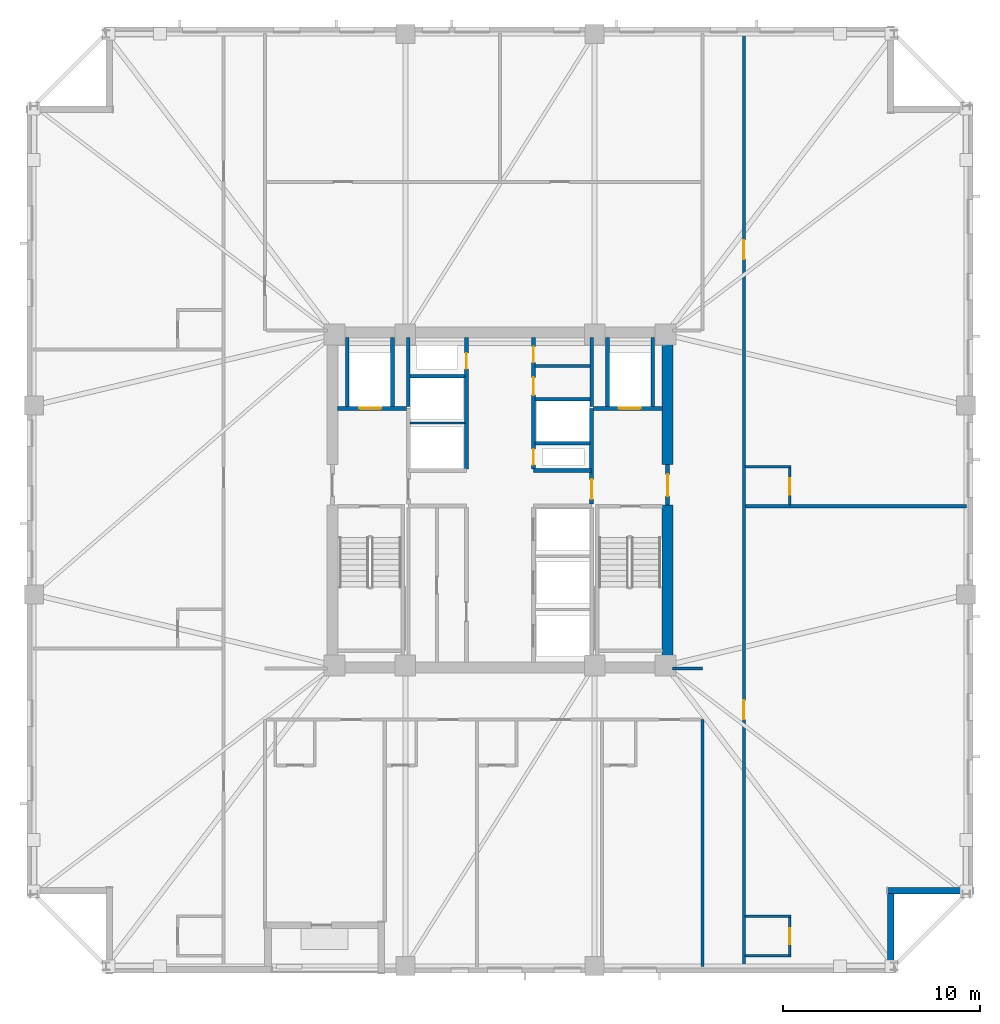
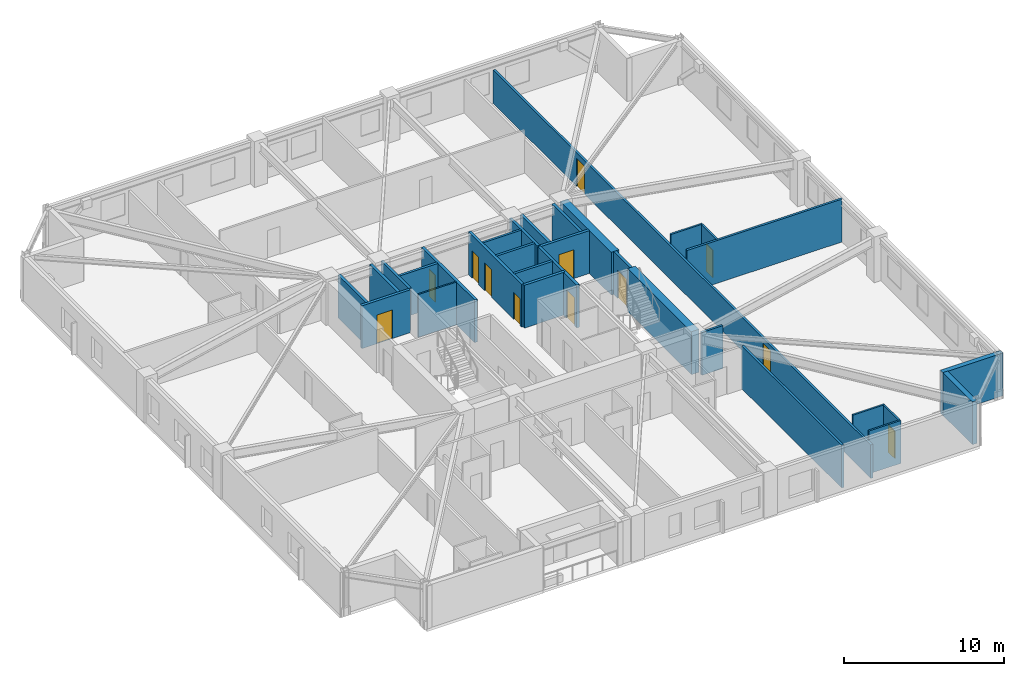
# One storey, part 4 of 10: 31 walls, 12 doors, 12 openings.
"""IFC4 building model written with IfcOpenShell, lengths in metres."""

from ifc_helpers import new_model, si_unit, direction, frame, frame_2d, origin, place, context, subcontext, project, spatial, rectangle, extrude, material, layer, layer_set, type_object, element, fill, save


model = new_model("IFC4")

# Units and contexts
model_context = context("Model", 3, precision=1e-05, world=origin(), true_north=direction((0.0, 1.0)))
body_context = subcontext(model_context, "Body", "Model", "MODEL_VIEW")
ifc_project = project(units=[si_unit("LENGTHUNIT", "METRE"), si_unit("AREAUNIT", "SQUARE_METRE"), si_unit("VOLUMEUNIT", "CUBIC_METRE"), si_unit("PLANEANGLEUNIT", "RADIAN"), si_unit("MASSUNIT", "GRAM", prefix="KILO")], contexts=[model_context])

# Site, building, storey
site_placement = place(None, origin())
site = spatial("IfcSite", under=ifc_project, at=site_placement, CompositionType="ELEMENT")
building_placement = place(site_placement, origin())
building = spatial("IfcBuilding", under=site, at=building_placement, Name="Cairnveth Concourse Tower", CompositionType="ELEMENT")
storey_placement = place(building_placement, frame((0.0, 0.0, 144.5)))
storey = spatial("IfcBuildingStorey", under=building, at=storey_placement, Name="L39", CompositionType="ELEMENT", Elevation=144.5)

# Wall
ifc_material_1 = material(Name="Gypsum Plasterboard Partition", Category="gypsum")
ifc_layer_1 = layer(ifc_material_1, 0.159912109375)
ifc_layer_set_1 = layer_set([ifc_layer_1], Name="Gypsum Plasterboard Partition")
wall_type_1 = type_object("IfcWallType", Name="ACOUSTIC PARTY WALL 180", PredefinedType="PARTITIONING", material=ifc_layer_set_1)
wall_1_placement = place(storey_placement, frame((53.784912109375, 45.800048828125, 0.0), z_axis=(0.0, 0.0, 1.0), x_axis=(1.0, 0.0, 0.0)))
element("IfcWall", 1, at=wall_1_placement, inside=storey, type_object=wall_type_1, Name="Interior Wall IW-L39-036", PredefinedType="PARTITIONING", context=body_context, shape_type="SweptSolid", body=[
    extrude(rectangle(XDim=2.7900390625, YDim=0.159912109375, at=frame_2d((1.39501953125, 0.0))), origin(), (0.0, 0.0, 1.0), 3.280029296875),
])

# Wall, openings, doors
wall_2_placement = place(storey_placement, frame((64.375, 15.324951171875, 0.0), z_axis=(0.0, 0.0, 1.0), x_axis=(0.0, 1.0, 0.0)))
wall_2 = element("IfcWall", 2, at=wall_2_placement, inside=storey, type_object=wall_type_1, Name="Interior Wall IW-L39-042", PredefinedType="PARTITIONING", context=body_context, shape_type="SweptSolid", body=[
    extrude(rectangle(XDim=47.35009765625, YDim=0.159912109375, at=frame_2d((23.675048828125, 0.0))), origin(), (0.0, 0.0, 1.0), 2.554931640625),
])
opening_1_placement = place(wall_2_placement, frame((12.546630859375, 0.0, 0.0)))
opening_1 = element("IfcOpeningElement", 3, at=opening_1_placement, cuts=wall_2, Name="Opening ID09", PredefinedType="OPENING", context=body_context, shape_type="SweptSolid", body=[
    extrude(rectangle(XDim=0.9599609375, YDim=2.14990234375, at=frame_2d((0.47998046875, 1.074951171875))), frame((0.0, 0.08984375, 0.0), z_axis=(0.0, -1.0, 0.0), x_axis=(1.0, 0.0, 0.0)), (0.0, 0.0, 1.0), 0.179931640625),
])
opening_2_placement = place(wall_2_placement, frame((35.901611328125, 0.0, 0.0)))
opening_2 = element("IfcOpeningElement", 4, at=opening_2_placement, cuts=wall_2, Name="Opening ID09", PredefinedType="OPENING", context=body_context, shape_type="SweptSolid", body=[
    extrude(rectangle(XDim=0.9599609375, YDim=2.14990234375, at=frame_2d((0.47998046875, 1.074951171875))), frame((0.0, 0.08984375, 0.0), z_axis=(0.0, -1.0, 0.0), x_axis=(1.0, 0.0, 0.0)), (0.0, 0.0, 1.0), 0.179931640625),
])
ifc_material_2 = material(Name="Solid Core Hardwood Timber Leaf", Category="wood")
door_type_1 = type_object("IfcDoorType", Name="HOTEL ENTRANCE DOOR 960X2150", OperationType="NOTDEFINED", PredefinedType="DOOR", material=ifc_material_2)
door_1_placement = place(opening_1_placement, origin())
door_1 = element("IfcDoor", 5, at=door_1_placement, inside=storey, type_object=door_type_1, Name="Hotel Room Door L39-E1", OperationType="SINGLE_SWING_RIGHT", OverallHeight=2.14990234375, OverallWidth=0.9599609375, PredefinedType="DOOR", context=body_context, shape_type="SweptSolid", body=[
    extrude(rectangle(XDim=0.9599609375, YDim=2.14990234375, at=frame_2d((0.47998046875, 1.074951171875))), frame((0.0, 0.02490234375, 0.0), z_axis=(0.0, -1.0, 0.0), x_axis=(1.0, 0.0, 0.0)), (0.0, 0.0, 1.0), 0.050048828125),
])
fill(opening_1, door_1)
door_2_placement = place(opening_2_placement, origin())
door_2 = element("IfcDoor", 6, at=door_2_placement, inside=storey, type_object=door_type_1, Name="Hotel Room Door L39-E2", OperationType="SINGLE_SWING_RIGHT", OverallHeight=2.14990234375, OverallWidth=0.9599609375, PredefinedType="DOOR", context=body_context, shape_type="SweptSolid", body=[
    extrude(rectangle(XDim=0.9599609375, YDim=2.14990234375, at=frame_2d((0.47998046875, 1.074951171875))), frame((0.0, 0.02490234375, 0.0), z_axis=(0.0, -1.0, 0.0), x_axis=(1.0, 0.0, 0.0)), (0.0, 0.0, 1.0), 0.050048828125),
])
fill(opening_2, door_2)

# Walls
wall_3_placement = place(storey_placement, frame((62.27490234375, 15.324951171875, 0.0), z_axis=(0.0, 0.0, 1.0), x_axis=(0.0, 1.0, 0.0)))
element("IfcWall", 7, at=wall_3_placement, inside=storey, type_object=wall_type_1, Name="Interior Wall IW-L39-043", PredefinedType="PARTITIONING", context=body_context, shape_type="SweptSolid", body=[
    extrude(rectangle(XDim=12.53515625, YDim=0.159912109375, at=frame_2d((6.267578125, 0.0))), origin(), (0.0, 0.0, 1.0), 3.280029296875),
])
wall_4_placement = place(storey_placement, frame((60.764892578125, 30.449951171875, 0.0), z_axis=(0.0, 0.0, 1.0), x_axis=(1.0, 0.0, 0.0)))
element("IfcWall", 8, at=wall_4_placement, inside=storey, type_object=wall_type_1, Name="Interior Wall IW-L39-045", PredefinedType="PARTITIONING", context=body_context, shape_type="SweptSolid", body=[
    extrude(rectangle(XDim=1.510009765625, YDim=0.159912109375, at=frame_2d((0.7548828125, 0.0))), origin(), (0.0, 0.0, 1.0), 3.280029296875),
])
wall_5_placement = place(storey_placement, frame((64.455078125, 38.68310546875, 0.0), z_axis=(0.0, 0.0, 1.0), x_axis=(1.0, 0.0, 0.0)))
element("IfcWall", 9, at=wall_5_placement, inside=storey, type_object=wall_type_1, Name="Interior Wall IW-L39-074", PredefinedType="PARTITIONING", context=body_context, shape_type="SweptSolid", body=[
    extrude(rectangle(XDim=11.219970703125, YDim=0.159912109375, at=frame_2d((5.60986328125, 0.0))), origin(), (0.0, 0.0, 1.0), 3.280029296875),
])
ifc_material_3 = material(Name="Concrete N80 (80 MPa)", Category="concrete")
ifc_layer_2 = layer(ifc_material_3, 0.550048828125)
ifc_layer_set_2 = layer_set([ifc_layer_2], Name="Concrete N80 (80 MPa)")
wall_type_2 = type_object("IfcWallType", Name="CORE SHEAR WALL 550", PredefinedType="SHEAR", material=ifc_layer_set_2)
wall_6_placement = place(storey_placement, frame((60.5, 30.764892578125, 0.0), z_axis=(0.0, 0.0, 1.0), x_axis=(0.0, 1.0, 0.0)))
element("IfcWall", 10, at=wall_6_placement, inside=storey, type_object=wall_type_2, Name="Core East Shear Wall S L39", PredefinedType="SHEAR", context=body_context, shape_type="SweptSolid", body=[
    extrude(rectangle(XDim=7.985107421875, YDim=0.550048828125, at=frame_2d((3.99267578125, 0.0))), origin(), (0.0, 0.0, 1.0), 3.280029296875),
])
wall_7_placement = place(storey_placement, frame((60.5, 40.800048828125, 0.0), z_axis=(0.0, 0.0, 1.0), x_axis=(0.0, 1.0, 0.0)))
element("IfcWall", 11, at=wall_7_placement, inside=storey, type_object=wall_type_2, Name="Core East Shear Wall N L39", PredefinedType="SHEAR", context=body_context, shape_type="SweptSolid", body=[
    extrude(rectangle(XDim=6.43505859375, YDim=0.550048828125, at=frame_2d((3.217529296875, 0.0))), origin(), (0.0, 0.0, 1.0), 3.280029296875),
])
ifc_material_4 = material(Name="Concrete N50 (50 MPa)", Category="concrete")
ifc_layer_3 = layer(ifc_material_4, 0.179931640625)
ifc_layer_set_3 = layer_set([ifc_layer_3], Name="Concrete N50 (50 MPa)")
wall_type_3 = type_object("IfcWallType", Name="FIRE SHAFT WALL 180", PredefinedType="SOLIDWALL", material=ifc_layer_set_3)
wall_8_placement = place(storey_placement, frame((47.35009765625, 43.735107421875, 0.0), z_axis=(0.0, 0.0, 1.0), x_axis=(0.0, 1.0, 0.0)))
element("IfcWall", 12, at=wall_8_placement, inside=storey, type_object=wall_type_3, Name="Interior Wall IW-L39-030", PredefinedType="SOLIDWALL", context=body_context, shape_type="SweptSolid", body=[
    extrude(rectangle(XDim=3.5048828125, YDim=0.179931640625, at=frame_2d((1.75244140625, 0.0))), origin(), (0.0, 0.0, 1.0), 3.280029296875),
])
wall_9_placement = place(storey_placement, frame((47.425048828125, 45.280029296875, 0.0), z_axis=(0.0, 0.0, 1.0), x_axis=(1.0, 0.0, 0.0)))
element("IfcWall", 13, at=wall_9_placement, inside=storey, type_object=wall_type_3, Name="Interior Wall IW-L39-032", PredefinedType="SOLIDWALL", context=body_context, shape_type="SweptSolid", body=[
    extrude(rectangle(XDim=2.7900390625, YDim=0.179931640625, at=frame_2d((1.39501953125, 0.0))), origin(), (0.0, 0.0, 1.0), 3.280029296875),
])
wall_10_placement = place(storey_placement, frame((56.64990234375, 43.735107421875, 0.0), z_axis=(0.0, 0.0, 1.0), x_axis=(0.0, 1.0, 0.0)))
element("IfcWall", 14, at=wall_10_placement, inside=storey, type_object=wall_type_3, Name="Interior Wall IW-L39-033", PredefinedType="SOLIDWALL", context=body_context, shape_type="SweptSolid", body=[
    extrude(rectangle(XDim=3.5048828125, YDim=0.179931640625, at=frame_2d((1.75244140625, 0.0))), origin(), (0.0, 0.0, 1.0), 3.280029296875),
])
wall_11_placement = place(storey_placement, frame((53.784912109375, 41.8798828125, 0.0), z_axis=(0.0, 0.0, 1.0), x_axis=(1.0, 0.0, 0.0)))
element("IfcWall", 15, at=wall_11_placement, inside=storey, type_object=wall_type_3, Name="Interior Wall IW-L39-034", PredefinedType="SOLIDWALL", context=body_context, shape_type="SweptSolid", body=[
    extrude(rectangle(XDim=2.780029296875, YDim=0.179931640625, at=frame_2d((1.39013671875, 0.0))), origin(), (0.0, 0.0, 1.0), 3.280029296875),
])
wall_12_placement = place(storey_placement, frame((53.784912109375, 44.1201171875, 0.0), z_axis=(0.0, 0.0, 1.0), x_axis=(1.0, 0.0, 0.0)))
element("IfcWall", 16, at=wall_12_placement, inside=storey, type_object=wall_type_3, Name="Interior Wall IW-L39-035", PredefinedType="SOLIDWALL", context=body_context, shape_type="SweptSolid", body=[
    extrude(rectangle(XDim=2.7900390625, YDim=0.179931640625, at=frame_2d((1.39501953125, 0.0))), origin(), (0.0, 0.0, 1.0), 3.280029296875),
])
ifc_layer_4 = layer(ifc_material_4, 0.199951171875)
ifc_layer_set_4 = layer_set([ifc_layer_4], Name="Concrete N50 (50 MPa)")
wall_type_4 = type_object("IfcWallType", Name="FIRE SHAFT WALL 200", PredefinedType="SOLIDWALL", material=ifc_layer_set_4)
wall_13_placement = place(storey_placement, frame((53.699951171875, 40.5, 0.0), z_axis=(0.0, 0.0, 1.0), x_axis=(1.0, 0.0, 0.0)))
element("IfcWall", 17, at=wall_13_placement, inside=storey, type_object=wall_type_4, Name="Interior Wall IW-L39-010", PredefinedType="SOLIDWALL", context=body_context, shape_type="SweptSolid", body=[
    extrude(rectangle(XDim=2.949951171875, YDim=0.199951171875, at=frame_2d((1.47509765625, 0.0))), origin(), (0.0, 0.0, 1.0), 3.280029296875),
])

# Wall, opening, door
wall_14_placement = place(storey_placement, frame((50.300048828125, 40.5849609375, 0.0), z_axis=(0.0, 0.0, 1.0), x_axis=(0.0, 1.0, 0.0)))
wall_14 = element("IfcWall", 18, at=wall_14_placement, inside=storey, type_object=wall_type_4, Name="Interior Wall IW-L39-013", PredefinedType="SOLIDWALL", context=body_context, shape_type="SweptSolid", body=[
    extrude(rectangle(XDim=6.655029296875, YDim=0.199951171875, at=frame_2d((3.32763671875, 0.0))), origin(), (0.0, 0.0, 1.0), 3.280029296875),
])
opening_3_placement = place(wall_14_placement, frame((5.06494140625, 0.0, 0.0)))
opening_3 = element("IfcOpeningElement", 19, at=opening_3_placement, cuts=wall_14, Name="Opening ID24", PredefinedType="OPENING", context=body_context, shape_type="SweptSolid", body=[
    extrude(rectangle(XDim=0.800048828125, YDim=2.080078125, at=frame_2d((0.39990234375, 1.0400390625))), frame((0.0, 0.10986328125, 0.0), z_axis=(0.0, -1.0, 0.0), x_axis=(1.0, 0.0, 0.0)), (0.0, 0.0, 1.0), 0.219970703125),
])
ifc_material_5 = material(Name="Steel Grade 350", Category="steel")
door_type_2 = type_object("IfcDoorType", Name="RISER ACCESS DOOR 800X2100", OperationType="NOTDEFINED", PredefinedType="DOOR", material=ifc_material_5)
door_3_placement = place(opening_3_placement, origin())
door_3 = element("IfcDoor", 20, at=door_3_placement, inside=storey, type_object=door_type_2, Name="NW Electrical Riser Access Door L39", OperationType="SINGLE_SWING_RIGHT", OverallHeight=2.080078125, OverallWidth=0.800048828125, PredefinedType="DOOR", context=body_context, shape_type="SweptSolid", body=[
    extrude(rectangle(XDim=0.800048828125, YDim=2.080078125, at=frame_2d((0.39990234375, 1.0400390625))), frame((0.0, 0.02490234375, 0.0), z_axis=(0.0, -1.0, 0.0), x_axis=(1.0, 0.0, 0.0)), (0.0, 0.0, 1.0), 0.050048828125),
])
fill(opening_3, door_3)

# Wall, openings, doors
wall_15_placement = place(storey_placement, frame((53.699951171875, 40.5849609375, 0.0), z_axis=(0.0, 0.0, 1.0), x_axis=(0.0, 1.0, 0.0)))
wall_15 = element("IfcWall", 21, at=wall_15_placement, inside=storey, type_object=wall_type_4, Name="Interior Wall IW-L39-014", PredefinedType="SOLIDWALL", context=body_context, shape_type="SweptSolid", body=[
    extrude(rectangle(XDim=6.655029296875, YDim=0.199951171875, at=frame_2d((3.32763671875, 0.0))), origin(), (0.0, 0.0, 1.0), 3.280029296875),
])
opening_4_placement = place(wall_15_placement, frame((0.195068359375, 0.0, 0.0)))
opening_4 = element("IfcOpeningElement", 22, at=opening_4_placement, cuts=wall_15, Name="Opening ID24", PredefinedType="OPENING", context=body_context, shape_type="SweptSolid", body=[
    extrude(rectangle(XDim=0.800048828125, YDim=2.080078125, at=frame_2d((0.39990234375, 1.0400390625))), frame((0.0, 0.10986328125, 0.0), z_axis=(0.0, -1.0, 0.0), x_axis=(1.0, 0.0, 0.0)), (0.0, 0.0, 1.0), 0.219970703125),
])
opening_5_placement = place(wall_15_placement, frame((3.735107421875, 0.0, 0.0)))
opening_5 = element("IfcOpeningElement", 23, at=opening_5_placement, cuts=wall_15, Name="Opening ID26", PredefinedType="OPENING", context=body_context, shape_type="SweptSolid", body=[
    extrude(rectangle(XDim=0.89990234375, YDim=2.1201171875, at=frame_2d((0.449951171875, 1.06005859375))), frame((0.0, 0.10986328125, 0.0), z_axis=(0.0, -1.0, 0.0), x_axis=(1.0, 0.0, 0.0)), (0.0, 0.0, 1.0), 0.219970703125),
])
opening_6_placement = place(wall_15_placement, frame((5.39501953125, 0.0, 0.0)))
opening_6 = element("IfcOpeningElement", 24, at=opening_6_placement, cuts=wall_15, Name="Opening ID23", PredefinedType="OPENING", context=body_context, shape_type="SweptSolid", body=[
    extrude(rectangle(XDim=0.800048828125, YDim=2.10009765625, at=frame_2d((0.39990234375, 1.050048828125))), frame((0.0, 0.10986328125, 0.0), z_axis=(0.0, -1.0, 0.0), x_axis=(1.0, 0.0, 0.0)), (0.0, 0.0, 1.0), 0.219970703125),
])
door_type_3 = type_object("IfcDoorType", Name="CORE SERVICE DOOR 800X2100", OperationType="NOTDEFINED", PredefinedType="DOOR", material=ifc_material_5)
door_4_placement = place(opening_6_placement, origin())
door_4 = element("IfcDoor", 25, at=door_4_placement, inside=storey, type_object=door_type_3, Name="Core NE Cleaners Door L39", OperationType="SINGLE_SWING_LEFT", OverallHeight=2.10009765625, OverallWidth=0.800048828125, PredefinedType="DOOR", context=body_context, shape_type="SweptSolid", body=[
    extrude(rectangle(XDim=0.800048828125, YDim=2.10009765625, at=frame_2d((0.39990234375, 1.050048828125))), frame((0.0, 0.02490234375, 0.0), z_axis=(0.0, -1.0, 0.0), x_axis=(1.0, 0.0, 0.0)), (0.0, 0.0, 1.0), 0.050048828125),
])
fill(opening_6, door_4)
door_type_4 = type_object("IfcDoorType", Name="CORE TOILET FIRE DOOR 900X2120", OperationType="NOTDEFINED", PredefinedType="DOOR", material=ifc_material_5)
door_5_placement = place(opening_5_placement, origin())
door_5 = element("IfcDoor", 26, at=door_5_placement, inside=storey, type_object=door_type_4, Name="Core NE Unisex WC Door L39", OperationType="SINGLE_SWING_RIGHT", OverallHeight=2.1201171875, OverallWidth=0.89990234375, PredefinedType="DOOR", context=body_context, shape_type="SweptSolid", body=[
    extrude(rectangle(XDim=0.89990234375, YDim=2.1201171875, at=frame_2d((0.449951171875, 1.06005859375))), frame((0.0, 0.02490234375, 0.0), z_axis=(0.0, -1.0, 0.0), x_axis=(1.0, 0.0, 0.0)), (0.0, 0.0, 1.0), 0.050048828125),
])
fill(opening_5, door_5)
door_6_placement = place(opening_4_placement, origin())
door_6 = element("IfcDoor", 27, at=door_6_placement, inside=storey, type_object=door_type_2, Name="Hydraulic Riser Door L39", OperationType="SINGLE_SWING_LEFT", OverallHeight=2.080078125, OverallWidth=0.800048828125, PredefinedType="DOOR", context=body_context, shape_type="SweptSolid", body=[
    extrude(rectangle(XDim=0.800048828125, YDim=2.080078125, at=frame_2d((0.39990234375, 1.0400390625))), frame((0.0, 0.02490234375, 0.0), z_axis=(0.0, -1.0, 0.0), x_axis=(1.0, 0.0, 0.0)), (0.0, 0.0, 1.0), 0.050048828125),
])
fill(opening_4, door_6)

# Wall, opening, door
wall_16_placement = place(storey_placement, frame((43.760009765625, 43.64990234375, 0.0), z_axis=(0.0, 0.0, 1.0), x_axis=(1.0, 0.0, 0.0)))
wall_16 = element("IfcWall", 28, at=wall_16_placement, inside=storey, type_object=wall_type_4, Name="Interior Wall IW-L39-017", PredefinedType="SOLIDWALL", context=body_context, shape_type="SweptSolid", body=[
    extrude(rectangle(XDim=3.5048828125, YDim=0.199951171875, at=frame_2d((1.75244140625, 0.0))), origin(), (0.0, 0.0, 1.0), 3.280029296875),
])
opening_7_placement = place(wall_16_placement, frame((1.110107421875, 0.0, 0.0)))
opening_7 = element("IfcOpeningElement", 29, at=opening_7_placement, cuts=wall_16, Name="Opening LD-1", PredefinedType="OPENING", context=body_context, shape_type="SweptSolid", body=[
    extrude(rectangle(XDim=1.10009765625, YDim=2.199951171875, at=frame_2d((0.550048828125, 1.10009765625))), frame((0.0, 0.10986328125, 0.0), z_axis=(0.0, -1.0, 0.0), x_axis=(1.0, 0.0, 0.0)), (0.0, 0.0, 1.0), 0.219970703125),
])
ifc_material_6 = material(Name="Architectural Bronze Anodised Aluminium 6063-T6", Category="aluminium")
door_type_5 = type_object("IfcDoorType", Name="LIFT LANDING DOOR 1100X2200", OperationType="SLIDING_TO_LEFT", PredefinedType="DOOR", material=ifc_material_6)
door_7_placement = place(opening_7_placement, origin())
door_7 = element("IfcDoor", 30, at=door_7_placement, inside=storey, type_object=door_type_5, Name="Lift FFL1 Landing Door L39", OperationType="SLIDING_TO_LEFT", OverallHeight=2.199951171875, OverallWidth=1.10009765625, PredefinedType="DOOR", context=body_context, shape_type="SweptSolid", body=[
    extrude(rectangle(XDim=1.10009765625, YDim=2.199951171875, at=frame_2d((0.550048828125, 1.10009765625))), frame((0.0, 0.02490234375, 0.0), z_axis=(0.0, -1.0, 0.0), x_axis=(1.0, 0.0, 0.0)), (0.0, 0.0, 1.0), 0.050048828125),
])
fill(opening_7, door_7)

# Walls
for number, where, z_axis, x_axis, name in (
    (31, (46.550048828125, 43.735107421875, 0.0), (0.0, 0.0, 1.0), (0.0, 1.0, 0.0), "Interior Wall IW-L39-018"),
    (32, (44.25, 43.735107421875, 0.0), (0.0, 0.0, 1.0), (0.0, 1.0, 0.0), "Interior Wall IW-L39-019"),
):
    element("IfcWall", number, at=place(storey_placement, frame(where, z_axis=z_axis, x_axis=x_axis)), inside=storey, type_object=wall_type_4, Name=name, PredefinedType="SOLIDWALL", context=body_context, shape_type="SweptSolid", body=[
        extrude(rectangle(XDim=3.5048828125, YDim=0.199951171875, at=frame_2d((1.75244140625, 0.0))), origin(), (0.0, 0.0, 1.0), 3.280029296875),
    ])

# Wall, opening, door
wall_17_placement = place(storey_placement, frame((60.5, 38.75, 0.0), z_axis=(0.0, 0.0, 1.0), x_axis=(0.0, 1.0, 0.0)))
wall_17 = element("IfcWall", 33, at=wall_17_placement, inside=storey, type_object=wall_type_4, Name="Interior Wall IW-L39-020", PredefinedType="SOLIDWALL", context=body_context, shape_type="SweptSolid", body=[
    extrude(rectangle(XDim=2.050048828125, YDim=0.199951171875, at=frame_2d((1.02490234375, 0.0))), origin(), (0.0, 0.0, 1.0), 3.280029296875),
])
opening_8_placement = place(wall_17_placement, frame((0.449951171875, 0.0, 0.0)))
opening_8 = element("IfcOpeningElement", 34, at=opening_8_placement, cuts=wall_17, Name="Opening ID06", PredefinedType="OPENING", context=body_context, shape_type="SweptSolid", body=[
    extrude(rectangle(XDim=1.10009765625, YDim=2.14990234375, at=frame_2d((0.550048828125, 1.074951171875))), frame((0.0, 0.10986328125, 0.0), z_axis=(0.0, -1.0, 0.0), x_axis=(1.0, 0.0, 0.0)), (0.0, 0.0, 1.0), 0.219970703125),
])
door_type_6 = type_object("IfcDoorType", Name="FIRE CORRIDOR DOOR 1100X2150", OperationType="NOTDEFINED", PredefinedType="DOOR", material=ifc_material_5)
door_8_placement = place(opening_8_placement, origin())
door_8 = element("IfcDoor", 35, at=door_8_placement, inside=storey, type_object=door_type_6, Name="East Wing to FF Lobby Door L39", OperationType="SINGLE_SWING_RIGHT", OverallHeight=2.14990234375, OverallWidth=1.10009765625, PredefinedType="DOOR", context=body_context, shape_type="SweptSolid", body=[
    extrude(rectangle(XDim=1.10009765625, YDim=2.14990234375, at=frame_2d((0.550048828125, 1.074951171875))), frame((0.0, 0.02490234375, 0.0), z_axis=(0.0, -1.0, 0.0), x_axis=(1.0, 0.0, 0.0)), (0.0, 0.0, 1.0), 0.050048828125),
])
fill(opening_8, door_8)

wall_18_placement = place(storey_placement, frame((56.64990234375, 38.784912109375, 0.0), z_axis=(0.0, 0.0, 1.0), x_axis=(0.0, 1.0, 0.0)))
wall_18 = element("IfcWall", 36, at=wall_18_placement, inside=storey, type_object=wall_type_4, Name="Interior Wall IW-L39-021", PredefinedType="SOLIDWALL", context=body_context, shape_type="SweptSolid", body=[
    extrude(rectangle(XDim=4.864990234375, YDim=0.199951171875, at=frame_2d((2.4326171875, 0.0))), origin(), (0.0, 0.0, 1.0), 3.280029296875),
])
opening_9_placement = place(wall_18_placement, frame((0.264892578125, 0.0, 0.0)))
opening_9 = element("IfcOpeningElement", 37, at=opening_9_placement, cuts=wall_18, Name="Opening ID07", PredefinedType="OPENING", context=body_context, shape_type="SweptSolid", body=[
    extrude(rectangle(XDim=1.0, YDim=2.14990234375, at=frame_2d((0.5, 1.074951171875))), frame((0.0, 0.10986328125, 0.0), z_axis=(0.0, -1.0, 0.0), x_axis=(1.0, 0.0, 0.0)), (0.0, 0.0, 1.0), 0.219970703125),
])
door_type_7 = type_object("IfcDoorType", Name="FIRE CORRIDOR DOOR 1000X2150", OperationType="NOTDEFINED", PredefinedType="DOOR", material=ifc_material_5)
door_9_placement = place(opening_9_placement, origin())
door_9 = element("IfcDoor", 38, at=door_9_placement, inside=storey, type_object=door_type_7, Name="FF Lobby East to Lift Lobby Door L39", OperationType="SINGLE_SWING_LEFT", OverallHeight=2.14990234375, OverallWidth=1.0, PredefinedType="DOOR", context=body_context, shape_type="SweptSolid", body=[
    extrude(rectangle(XDim=1.0, YDim=2.14990234375, at=frame_2d((0.5, 1.074951171875))), frame((0.0, 0.02490234375, 0.0), z_axis=(0.0, -1.0, 0.0), x_axis=(1.0, 0.0, 0.0)), (0.0, 0.0, 1.0), 0.050048828125),
])
fill(opening_9, door_9)

wall_19_placement = place(storey_placement, frame((56.735107421875, 43.64990234375, 0.0), z_axis=(0.0, 0.0, 1.0), x_axis=(1.0, 0.0, 0.0)))
wall_19 = element("IfcWall", 39, at=wall_19_placement, inside=storey, type_object=wall_type_4, Name="Interior Wall IW-L39-022", PredefinedType="SOLIDWALL", context=body_context, shape_type="SweptSolid", body=[
    extrude(rectangle(XDim=3.5048828125, YDim=0.199951171875, at=frame_2d((1.75244140625, 0.0))), origin(), (0.0, 0.0, 1.0), 3.280029296875),
])
opening_10_placement = place(wall_19_placement, frame((1.294921875, 0.0, 0.0)))
opening_10 = element("IfcOpeningElement", 40, at=opening_10_placement, cuts=wall_19, Name="Opening LD-1", PredefinedType="OPENING", context=body_context, shape_type="SweptSolid", body=[
    extrude(rectangle(XDim=1.10009765625, YDim=2.199951171875, at=frame_2d((0.550048828125, 1.10009765625))), frame((0.0, 0.10986328125, 0.0), z_axis=(0.0, -1.0, 0.0), x_axis=(1.0, 0.0, 0.0)), (0.0, 0.0, 1.0), 0.219970703125),
])
door_10_placement = place(opening_10_placement, origin())
door_10 = element("IfcDoor", 41, at=door_10_placement, inside=storey, type_object=door_type_5, Name="Lift FFL2 Landing Door L39", OperationType="SLIDING_TO_LEFT", OverallHeight=2.199951171875, OverallWidth=1.10009765625, PredefinedType="DOOR", context=body_context, shape_type="SweptSolid", body=[
    extrude(rectangle(XDim=1.10009765625, YDim=2.199951171875, at=frame_2d((0.550048828125, 1.10009765625))), frame((0.0, 0.02490234375, 0.0), z_axis=(0.0, -1.0, 0.0), x_axis=(1.0, 0.0, 0.0)), (0.0, 0.0, 1.0), 0.050048828125),
])
fill(opening_10, door_10)

# Walls
for number, where, z_axis, x_axis, name in (
    (42, (57.449951171875, 43.735107421875, 0.0), (0.0, 0.0, 1.0), (0.0, 1.0, 0.0), "Interior Wall IW-L39-023"),
    (43, (59.75, 43.735107421875, 0.0), (0.0, 0.0, 1.0), (0.0, 1.0, 0.0), "Interior Wall IW-L39-024"),
):
    element("IfcWall", number, at=place(storey_placement, frame(where, z_axis=z_axis, x_axis=x_axis)), inside=storey, type_object=wall_type_4, Name=name, PredefinedType="SOLIDWALL", context=body_context, shape_type="SweptSolid", body=[
        extrude(rectangle(XDim=3.5048828125, YDim=0.199951171875, at=frame_2d((1.75244140625, 0.0))), origin(), (0.0, 0.0, 1.0), 3.280029296875),
    ])
ifc_layer_5 = layer(ifc_material_1, 0.110107421875)
ifc_layer_set_5 = layer_set([ifc_layer_5], Name="Gypsum Plasterboard Partition")
wall_type_5 = type_object("IfcWallType", Name="SHAFT DIVIDER WALL 140", PredefinedType="PARTITIONING", material=ifc_layer_set_5)
wall_20_placement = place(storey_placement, frame((47.43505859375, 42.89990234375, 0.0), z_axis=(0.0, 0.0, 1.0), x_axis=(1.0, 0.0, 0.0)))
element("IfcWall", 44, at=wall_20_placement, inside=storey, type_object=wall_type_5, Name="Interior Wall IW-L39-031", PredefinedType="PARTITIONING", context=body_context, shape_type="SweptSolid", body=[
    extrude(rectangle(XDim=2.780029296875, YDim=0.110107421875, at=frame_2d((1.39013671875, 0.0))), origin(), (0.0, 0.0, 1.0), 3.280029296875),
])
ifc_layer_6 = layer(ifc_material_1, 0.1298828125)
ifc_layer_set_6 = layer_set([ifc_layer_6], Name="Gypsum Plasterboard Partition")
wall_type_6 = type_object("IfcWallType", Name="WET AREA PARTITION 140", PredefinedType="PLUMBINGWALL", material=ifc_layer_set_6)
for number, where, z_axis, x_axis, name in (
    (45, (64.43994140625, 15.8701171875, 0.0), (0.0, 0.0, 1.0), (1.0, 0.0, 0.0), "Interior Wall IW-L39-071"),
    (46, (64.43994140625, 17.8701171875, 0.0), (0.0, 0.0, 1.0), (1.0, 0.0, 0.0), "Interior Wall IW-L39-072"),
):
    element("IfcWall", number, at=place(storey_placement, frame(where, z_axis=z_axis, x_axis=x_axis)), inside=storey, type_object=wall_type_6, Name=name, PredefinedType="PLUMBINGWALL", context=body_context, shape_type="SweptSolid", body=[
        extrude(rectangle(XDim=2.31494140625, YDim=0.1298828125, at=frame_2d((1.157470703125, 0.0))), origin(), (0.0, 0.0, 1.0), 3.280029296875),
    ])

# Wall, opening, door
wall_21_placement = place(storey_placement, frame((66.705078125, 15.919921875, 0.0), z_axis=(0.0, 0.0, 1.0), x_axis=(0.0, 1.0, 0.0)))
wall_21 = element("IfcWall", 47, at=wall_21_placement, inside=storey, type_object=wall_type_6, Name="Interior Wall IW-L39-073", PredefinedType="PLUMBINGWALL", context=body_context, shape_type="SweptSolid", body=[
    extrude(rectangle(XDim=1.900146484375, YDim=0.1298828125, at=frame_2d((0.9501953125, 0.0))), origin(), (0.0, 0.0, 1.0), 3.280029296875),
])
opening_11_placement = place(wall_21_placement, frame((0.5400390625, 0.0, 0.0)))
opening_11 = element("IfcOpeningElement", 48, at=opening_11_placement, cuts=wall_21, Name="Opening ID22", PredefinedType="OPENING", context=body_context, shape_type="SweptSolid", body=[
    extrude(rectangle(XDim=0.820068359375, YDim=2.10009765625, at=frame_2d((0.41015625, 1.050048828125))), frame((0.0, 0.074951171875, 0.0), z_axis=(0.0, -1.0, 0.0), x_axis=(1.0, 0.0, 0.0)), (0.0, 0.0, 1.0), 0.14990234375),
])
door_type_8 = type_object("IfcDoorType", Name="INTERIOR WC DOOR 820X2100", OperationType="NOTDEFINED", PredefinedType="DOOR", material=ifc_material_2)
door_11_placement = place(opening_11_placement, origin())
door_11 = element("IfcDoor", 49, at=door_11_placement, inside=storey, type_object=door_type_8, Name="En-Suite Door L39-E1", OperationType="SINGLE_SWING_LEFT", OverallHeight=2.10009765625, OverallWidth=0.820068359375, PredefinedType="DOOR", context=body_context, shape_type="SweptSolid", body=[
    extrude(rectangle(XDim=0.820068359375, YDim=2.10009765625, at=frame_2d((0.41015625, 1.050048828125))), frame((0.0, 0.02490234375, 0.0), z_axis=(0.0, -1.0, 0.0), x_axis=(1.0, 0.0, 0.0)), (0.0, 0.0, 1.0), 0.050048828125),
])
fill(opening_11, door_11)

# Wall
wall_22_placement = place(storey_placement, frame((64.43994140625, 40.68310546875, 0.0), z_axis=(0.0, 0.0, 1.0), x_axis=(1.0, 0.0, 0.0)))
element("IfcWall", 50, at=wall_22_placement, inside=storey, type_object=wall_type_6, Name="Interior Wall IW-L39-075", PredefinedType="PLUMBINGWALL", context=body_context, shape_type="SweptSolid", body=[
    extrude(rectangle(XDim=2.31494140625, YDim=0.1298828125, at=frame_2d((1.157470703125, 0.0))), origin(), (0.0, 0.0, 1.0), 3.280029296875),
])

# Wall, opening, door
wall_23_placement = place(storey_placement, frame((66.705078125, 38.748046875, 0.0), z_axis=(0.0, 0.0, 1.0), x_axis=(0.0, 1.0, 0.0)))
wall_23 = element("IfcWall", 51, at=wall_23_placement, inside=storey, type_object=wall_type_6, Name="Interior Wall IW-L39-076", PredefinedType="PLUMBINGWALL", context=body_context, shape_type="SweptSolid", body=[
    extrude(rectangle(XDim=1.885009765625, YDim=0.1298828125, at=frame_2d((0.9423828125, 0.0))), origin(), (0.0, 0.0, 1.0), 3.280029296875),
])
opening_12_placement = place(wall_23_placement, frame((0.52490234375, 0.0, 0.0)))
opening_12 = element("IfcOpeningElement", 52, at=opening_12_placement, cuts=wall_23, Name="Opening ID22", PredefinedType="OPENING", context=body_context, shape_type="SweptSolid", body=[
    extrude(rectangle(XDim=0.820068359375, YDim=2.10009765625, at=frame_2d((0.41015625, 1.050048828125))), frame((0.0, 0.074951171875, 0.0), z_axis=(0.0, -1.0, 0.0), x_axis=(1.0, 0.0, 0.0)), (0.0, 0.0, 1.0), 0.14990234375),
])
door_12_placement = place(opening_12_placement, origin())
door_12 = element("IfcDoor", 53, at=door_12_placement, inside=storey, type_object=door_type_8, Name="En-Suite Door L39-E2", OperationType="SINGLE_SWING_LEFT", OverallHeight=2.10009765625, OverallWidth=0.820068359375, PredefinedType="DOOR", context=body_context, shape_type="SweptSolid", body=[
    extrude(rectangle(XDim=0.820068359375, YDim=2.10009765625, at=frame_2d((0.41015625, 1.050048828125))), frame((0.0, 0.02490234375, 0.0), z_axis=(0.0, -1.0, 0.0), x_axis=(1.0, 0.0, 0.0)), (0.0, 0.0, 1.0), 0.050048828125),
])
fill(opening_12, door_12)

# Walls
ifc_material_7 = material(Name="Hawthorn Red-Ochre Fired Clay Brick Masonry", Category="masonry")
ifc_layer_7 = layer(ifc_material_7, 0.340087890625)
ifc_layer_set_7 = layer_set([ifc_layer_7], Name="Hawthorn Red-Ochre Fired Clay Brick Masonry")
wall_type_7 = type_object("IfcWallType", Name="ZONE 2 BRICK PIER SPANDREL WALL 340", PredefinedType="SOLIDWALL", material=ifc_layer_set_7)
wall_24_placement = place(storey_placement, frame((76.0, 19.169921875, 0.0), z_axis=(0.0, 0.0, 1.0), x_axis=(-1.0, 0.0, 0.0)))
element("IfcWall", 54, at=wall_24_placement, inside=storey, type_object=wall_type_7, Name="Exterior Wall EW-L39-S10", PredefinedType="SOLIDWALL", context=body_context, shape_type="SweptSolid", body=[
    extrude(rectangle(XDim=4.340087890625, YDim=0.340087890625, at=frame_2d((2.169921875, 0.0))), origin(), (0.0, 0.0, 1.0), 3.280029296875),
])
wall_25_placement = place(storey_placement, frame((71.830078125, 19.02197265625, 0.0), z_axis=(0.0, 0.0, 1.0), x_axis=(0.0, -1.0, 0.0)))
element("IfcWall", 55, at=wall_25_placement, inside=storey, type_object=wall_type_7, Name="Exterior Wall EW-L39-S11", PredefinedType="SOLIDWALL", context=body_context, shape_type="SweptSolid", body=[
    extrude(rectangle(XDim=3.703857421875, YDim=0.340087890625, at=frame_2d((1.85205078125, 0.0))), origin(), (0.0, 0.0, 1.0), 3.280029296875),
])

save(model, "model.ifc")
